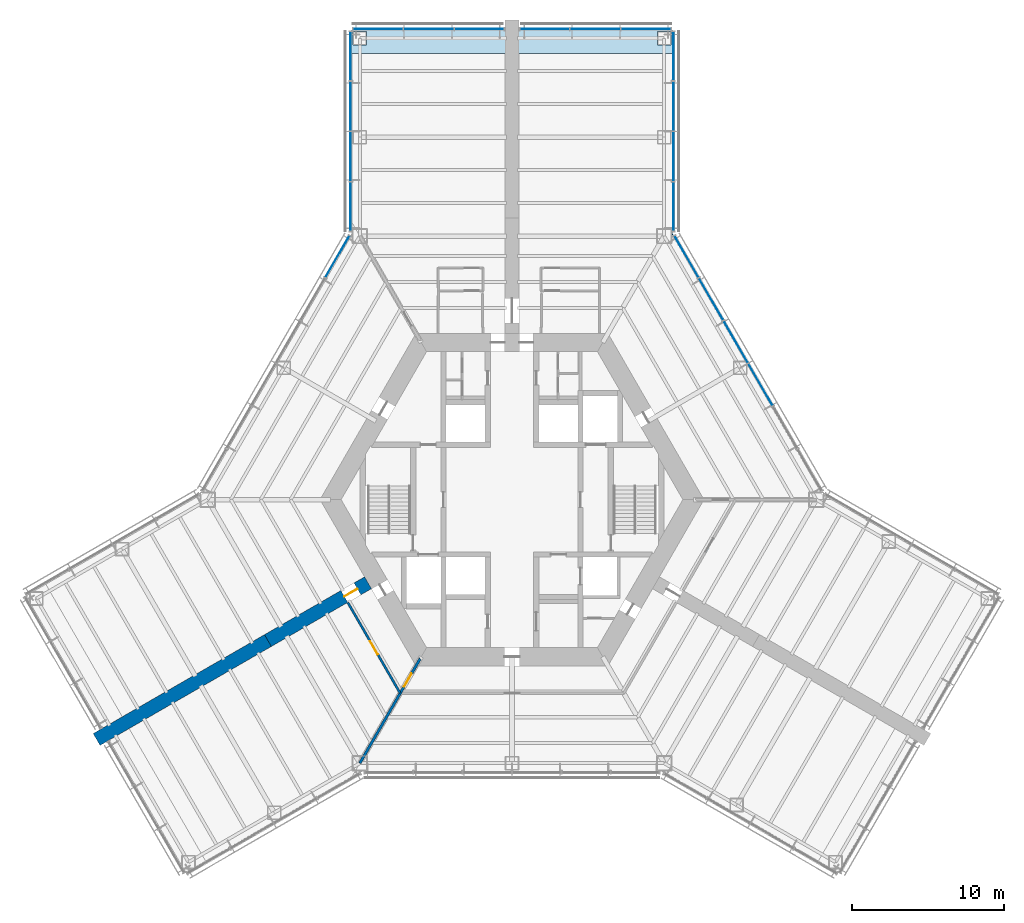
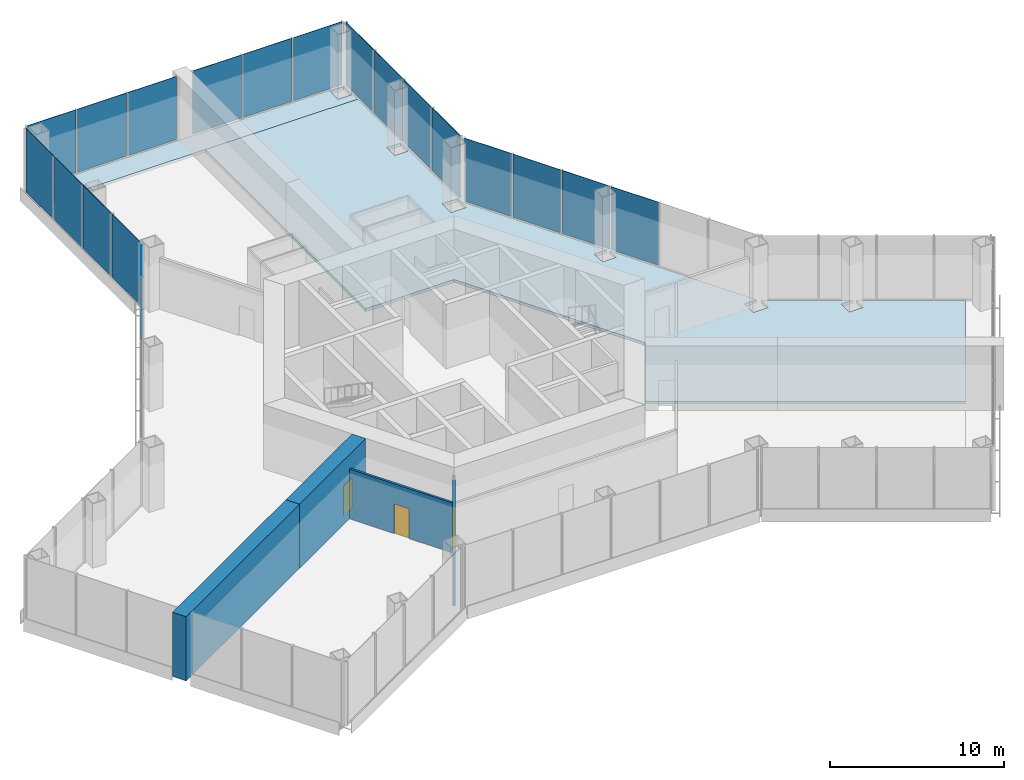
# One storey, part 8 of 13: 19 plates, 4 walls, 3 doors, 2 slabs, 3 openings, 6 elements without a shape of their own.
"""IFC4 building model written with IfcOpenShell, lengths in metres."""

from ifc_helpers import new_model, si_unit, direction, frame, frame_2d, origin, origin_2d, place, context, subcontext, project, spatial, polyline, rectangle, outline, extrude, material, layer, layer_set, type_object, element, fill, aggregate, save


model = new_model("IFC4")

# Units and contexts
model_context = context("Model", 3, precision=1e-05, world=origin(), true_north=direction((0.0, 1.0)))
body_context = subcontext(model_context, "Body", "Model", "MODEL_VIEW")
ifc_project = project(units=[si_unit("LENGTHUNIT", "METRE"), si_unit("AREAUNIT", "SQUARE_METRE"), si_unit("VOLUMEUNIT", "CUBIC_METRE"), si_unit("PLANEANGLEUNIT", "RADIAN"), si_unit("MASSUNIT", "GRAM", prefix="KILO")], contexts=[model_context])

# Site, building, storey
site_placement = place(None, origin())
site = spatial("IfcSite", under=ifc_project, at=site_placement, CompositionType="ELEMENT")
building_placement = place(site_placement, origin())
building = spatial("IfcBuilding", under=site, at=building_placement, Name="Kasaneha Research Tower", CompositionType="ELEMENT")
storey_placement = place(building_placement, frame((0.0, 0.0, 5.5)))
storey = spatial("IfcBuildingStorey", under=building, at=storey_placement, Name="L02", CompositionType="ELEMENT", Elevation=5.5)

# Curtain wall, plates
ifc_material_1 = material(Name="Glass and aluminium", Category="aluminium")
curtain_wall_type = type_object("IfcCurtainWallType", Name="Entrance hall curtain wall", PredefinedType="USERDEFINED", material=ifc_material_1)
curtain_wall_1_placement = place(storey_placement, origin())
curtain_wall_1 = element("IfcCurtainWall", 1, at=curtain_wall_1_placement, inside=storey, type_object=curtain_wall_type, Name="CW-H L02 run 07a", ObjectType="UNITISED CURTAIN WALL", PredefinedType="USERDEFINED")
ifc_material_2 = material(Name="Laminated double glazing", Category="glass")
ifc_layer_1 = layer(ifc_material_2, 0.031982421875)
ifc_layer_set_1 = layer_set([ifc_layer_1], Name="CW-H glazed panel")
plate_type = type_object("IfcPlateType", Name="CW-H glazed panel", PredefinedType="CURTAIN_PANEL", material=ifc_layer_set_1)
plate_1_placement = place(storey_placement, frame((16.331298828125, 7.554443359375, 0.080078125), z_axis=(0.0, 0.0, 1.0), x_axis=(-0.49999996188, 0.866025425793, 0.0)))
plate_1 = element("IfcPlate", 2, at=plate_1_placement, type_object=plate_type, Name="CW-H panel 3", PredefinedType="CURTAIN_PANEL", context=body_context, shape_type="SweptSolid", body=[
    extrude(rectangle(XDim=3.16650390625, YDim=0.031982421875, at=origin_2d()), origin(), (0.0, 0.0, 1.0), 4.419921875),
])
plate_2_placement = place(storey_placement, frame((14.7080078125, 10.365966796875, 0.080078125), z_axis=(0.0, 0.0, 1.0), x_axis=(-0.49999996188, 0.866025425793, 0.0)))
plate_2 = element("IfcPlate", 3, at=plate_2_placement, type_object=plate_type, Name="CW-H panel 4", PredefinedType="CURTAIN_PANEL", context=body_context, shape_type="SweptSolid", body=[
    extrude(rectangle(XDim=3.16650390625, YDim=0.031982421875, at=origin_2d()), origin(), (0.0, 0.0, 1.0), 4.419921875),
])
plate_3_placement = place(storey_placement, frame((13.084716796875, 13.177490234375, 0.080078125), z_axis=(0.0, 0.0, 1.0), x_axis=(-0.49999996188, 0.866025425793, 0.0)))
plate_3 = element("IfcPlate", 4, at=plate_3_placement, type_object=plate_type, Name="CW-H panel 5", PredefinedType="CURTAIN_PANEL", context=body_context, shape_type="SweptSolid", body=[
    extrude(rectangle(XDim=3.16650390625, YDim=0.031982421875, at=origin_2d()), origin(), (0.0, 0.0, 1.0), 4.419921875),
])
plate_4_placement = place(storey_placement, frame((11.4716796875, 15.9716796875, 0.080078125), z_axis=(0.0, 0.0, 1.0), x_axis=(-0.49999996188, 0.866025425793, 0.0)))
plate_4 = element("IfcPlate", 5, at=plate_4_placement, type_object=plate_type, Name="CW-H panel 6", PredefinedType="CURTAIN_PANEL", context=body_context, shape_type="SweptSolid", body=[
    extrude(rectangle(XDim=3.12646484375, YDim=0.031982421875, at=origin_2d()), origin(), (0.0, 0.0, 1.0), 4.419921875),
])
aggregate(curtain_wall_1, [plate_1, plate_2, plate_3, plate_4])

curtain_wall_2_placement = place(storey_placement, origin())
curtain_wall_2 = element("IfcCurtainWall", 6, at=curtain_wall_2_placement, inside=storey, type_object=curtain_wall_type, Name="CW-H L02 run 08a", ObjectType="UNITISED CURTAIN WALL", PredefinedType="USERDEFINED")
plate_5_placement = place(storey_placement, frame((10.60009765625, 19.256103515625, 0.080078125), z_axis=(0.0, 0.0, 1.0), x_axis=(0.0, 1.0, 0.0)))
plate_5 = element("IfcPlate", 7, at=plate_5_placement, type_object=plate_type, Name="CW-H panel 1", PredefinedType="CURTAIN_PANEL", context=body_context, shape_type="SweptSolid", body=[
    extrude(rectangle(XDim=3.189697265625, YDim=0.031982421875, at=origin_2d()), origin(), (0.0, 0.0, 1.0), 4.419921875),
])
plate_6_placement = place(storey_placement, frame((10.60009765625, 22.5458984375, 0.080078125), z_axis=(0.0, 0.0, 1.0), x_axis=(0.0, 1.0, 0.0)))
plate_6 = element("IfcPlate", 8, at=plate_6_placement, type_object=plate_type, Name="CW-H panel 2", PredefinedType="CURTAIN_PANEL", context=body_context, shape_type="SweptSolid", body=[
    extrude(rectangle(XDim=3.229736328125, YDim=0.031982421875, at=origin_2d()), origin(), (0.0, 0.0, 1.0), 4.419921875),
])
plate_7_placement = place(storey_placement, frame((10.60009765625, 25.855712890625, 0.080078125), z_axis=(0.0, 0.0, 1.0), x_axis=(0.0, 1.0, 0.0)))
plate_7 = element("IfcPlate", 9, at=plate_7_placement, type_object=plate_type, Name="CW-H panel 3", PredefinedType="CURTAIN_PANEL", context=body_context, shape_type="SweptSolid", body=[
    extrude(rectangle(XDim=3.229736328125, YDim=0.031982421875, at=origin_2d()), origin(), (0.0, 0.0, 1.0), 4.419921875),
])
plate_8_placement = place(storey_placement, frame((10.60009765625, 29.1455078125, 0.080078125), z_axis=(0.0, 0.0, 1.0), x_axis=(0.0, 1.0, 0.0)))
plate_8 = element("IfcPlate", 10, at=plate_8_placement, type_object=plate_type, Name="CW-H panel 4", PredefinedType="CURTAIN_PANEL", context=body_context, shape_type="SweptSolid", body=[
    extrude(rectangle(XDim=3.189697265625, YDim=0.031982421875, at=origin_2d()), origin(), (0.0, 0.0, 1.0), 4.419921875),
])
aggregate(curtain_wall_2, [plate_5, plate_6, plate_7, plate_8])

curtain_wall_3_placement = place(storey_placement, origin())
curtain_wall_3 = element("IfcCurtainWall", 11, at=curtain_wall_3_placement, inside=storey, type_object=curtain_wall_type, Name="CW-H L02 run 09a", ObjectType="UNITISED CURTAIN WALL", PredefinedType="USERDEFINED")
plate_9_placement = place(storey_placement, frame((8.804931640625, 30.92041015625, 0.080078125), z_axis=(0.0, 0.0, 1.0), x_axis=(-1.0, 0.0, 0.0)))
plate_9 = element("IfcPlate", 12, at=plate_9_placement, type_object=plate_type, Name="CW-H panel 1", PredefinedType="CURTAIN_PANEL", context=body_context, shape_type="SweptSolid", body=[
    extrude(rectangle(XDim=3.22998046875, YDim=0.031982421875, at=origin_2d()), origin(), (0.0, 0.0, 1.0), 4.419921875),
])
plate_10_placement = place(storey_placement, frame((5.47509765625, 30.92041015625, 0.080078125), z_axis=(0.0, 0.0, 1.0), x_axis=(-1.0, 0.0, 0.0)))
plate_10 = element("IfcPlate", 13, at=plate_10_placement, type_object=plate_type, Name="CW-H panel 2", PredefinedType="CURTAIN_PANEL", context=body_context, shape_type="SweptSolid", body=[
    extrude(rectangle(XDim=3.27001953125, YDim=0.031982421875, at=origin_2d()), origin(), (0.0, 0.0, 1.0), 4.419921875),
])
plate_11_placement = place(storey_placement, frame((2.14501953125, 30.92041015625, 0.080078125), z_axis=(0.0, 0.0, 1.0), x_axis=(-1.0, 0.0, 0.0)))
plate_11 = element("IfcPlate", 14, at=plate_11_placement, type_object=plate_type, Name="CW-H panel 3", PredefinedType="CURTAIN_PANEL", context=body_context, shape_type="SweptSolid", body=[
    extrude(rectangle(XDim=3.22998046875, YDim=0.031982421875, at=origin_2d()), origin(), (0.0, 0.0, 1.0), 4.419921875),
])
aggregate(curtain_wall_3, [plate_9, plate_10, plate_11])

curtain_wall_4_placement = place(storey_placement, origin())
curtain_wall_4 = element("IfcCurtainWall", 15, at=curtain_wall_4_placement, inside=storey, type_object=curtain_wall_type, Name="CW-H L02 run 10a", ObjectType="UNITISED CURTAIN WALL", PredefinedType="USERDEFINED")
plate_12_placement = place(storey_placement, frame((-2.14501953125, 30.92041015625, 0.080078125), z_axis=(0.0, 0.0, 1.0), x_axis=(-1.0, 0.0, 0.0)))
plate_12 = element("IfcPlate", 16, at=plate_12_placement, type_object=plate_type, Name="CW-H panel 1", PredefinedType="CURTAIN_PANEL", context=body_context, shape_type="SweptSolid", body=[
    extrude(rectangle(XDim=3.22998046875, YDim=0.031982421875, at=origin_2d()), origin(), (0.0, 0.0, 1.0), 4.419921875),
])
plate_13_placement = place(storey_placement, frame((-5.47509765625, 30.92041015625, 0.080078125), z_axis=(0.0, 0.0, 1.0), x_axis=(-1.0, 0.0, 0.0)))
plate_13 = element("IfcPlate", 17, at=plate_13_placement, type_object=plate_type, Name="CW-H panel 2", PredefinedType="CURTAIN_PANEL", context=body_context, shape_type="SweptSolid", body=[
    extrude(rectangle(XDim=3.27001953125, YDim=0.031982421875, at=origin_2d()), origin(), (0.0, 0.0, 1.0), 4.419921875),
])
plate_14_placement = place(storey_placement, frame((-8.804931640625, 30.92041015625, 0.080078125), z_axis=(0.0, 0.0, 1.0), x_axis=(-1.0, 0.0, 0.0)))
plate_14 = element("IfcPlate", 18, at=plate_14_placement, type_object=plate_type, Name="CW-H panel 3", PredefinedType="CURTAIN_PANEL", context=body_context, shape_type="SweptSolid", body=[
    extrude(rectangle(XDim=3.22998046875, YDim=0.031982421875, at=origin_2d()), origin(), (0.0, 0.0, 1.0), 4.419921875),
])
aggregate(curtain_wall_4, [plate_12, plate_13, plate_14])

curtain_wall_5_placement = place(storey_placement, origin())
curtain_wall_5 = element("IfcCurtainWall", 19, at=curtain_wall_5_placement, inside=storey, type_object=curtain_wall_type, Name="CW-H L02 run 11a", ObjectType="UNITISED CURTAIN WALL", PredefinedType="USERDEFINED")
plate_15_placement = place(storey_placement, frame((-10.60009765625, 29.1455078125, 0.080078125), z_axis=(0.0, 0.0, 1.0), x_axis=(0.0, -1.0, 0.0)))
plate_15 = element("IfcPlate", 20, at=plate_15_placement, type_object=plate_type, Name="CW-H panel 1", PredefinedType="CURTAIN_PANEL", context=body_context, shape_type="SweptSolid", body=[
    extrude(rectangle(XDim=3.189697265625, YDim=0.031982421875, at=origin_2d()), origin(), (0.0, 0.0, 1.0), 4.419921875),
])
plate_16_placement = place(storey_placement, frame((-10.60009765625, 25.855712890625, 0.080078125), z_axis=(0.0, 0.0, 1.0), x_axis=(0.0, -1.0, 0.0)))
plate_16 = element("IfcPlate", 21, at=plate_16_placement, type_object=plate_type, Name="CW-H panel 2", PredefinedType="CURTAIN_PANEL", context=body_context, shape_type="SweptSolid", body=[
    extrude(rectangle(XDim=3.229736328125, YDim=0.031982421875, at=origin_2d()), origin(), (0.0, 0.0, 1.0), 4.419921875),
])
plate_17_placement = place(storey_placement, frame((-10.60009765625, 22.5458984375, 0.080078125), z_axis=(0.0, 0.0, 1.0), x_axis=(0.0, -1.0, 0.0)))
plate_17 = element("IfcPlate", 22, at=plate_17_placement, type_object=plate_type, Name="CW-H panel 3", PredefinedType="CURTAIN_PANEL", context=body_context, shape_type="SweptSolid", body=[
    extrude(rectangle(XDim=3.229736328125, YDim=0.031982421875, at=origin_2d()), origin(), (0.0, 0.0, 1.0), 4.419921875),
])
plate_18_placement = place(storey_placement, frame((-10.60009765625, 19.256103515625, 0.080078125), z_axis=(0.0, 0.0, 1.0), x_axis=(0.0, -1.0, 0.0)))
plate_18 = element("IfcPlate", 23, at=plate_18_placement, type_object=plate_type, Name="CW-H panel 4", PredefinedType="CURTAIN_PANEL", context=body_context, shape_type="SweptSolid", body=[
    extrude(rectangle(XDim=3.189697265625, YDim=0.031982421875, at=origin_2d()), origin(), (0.0, 0.0, 1.0), 4.419921875),
])
aggregate(curtain_wall_5, [plate_15, plate_16, plate_17, plate_18])

# Curtain wall, plate
curtain_wall_6_placement = place(storey_placement, origin())
curtain_wall_6 = element("IfcCurtainWall", 24, at=curtain_wall_6_placement, inside=storey, type_object=curtain_wall_type, Name="CW-H L02 run 12a", ObjectType="UNITISED CURTAIN WALL", PredefinedType="USERDEFINED")
plate_19_placement = place(storey_placement, frame((-11.4716796875, 15.9716796875, 0.080078125), z_axis=(0.0, 0.0, 1.0), x_axis=(-0.49999996188, -0.866025425793, 0.0)))
plate_19 = element("IfcPlate", 25, at=plate_19_placement, type_object=plate_type, Name="CW-H panel 1", PredefinedType="CURTAIN_PANEL", context=body_context, shape_type="SweptSolid", body=[
    extrude(rectangle(XDim=3.12646484375, YDim=0.031982421875, at=origin_2d()), origin(), (0.0, 0.0, 1.0), 4.419921875),
])
aggregate(curtain_wall_6, [plate_19])

# Slabs
ifc_material_3 = material(Name="Concrete Fc24", Category="concrete")
ifc_layer_2 = layer(ifc_material_3, 0.199951171875)
ifc_layer_set_2 = layer_set([ifc_layer_2], Name="Floor slab 200")
slab_type = type_object("IfcSlabType", Name="Floor slab 200", PredefinedType="FLOOR", material=ifc_layer_set_2)
slab_1_placement = place(storey_placement, frame((0.0, 0.0, -0.199951171875)))
element("IfcSlab", 26, at=slab_1_placement, inside=storey, type_object=slab_type, Name="Floor slab L02 3", PredefinedType="FLOOR", context=body_context, shape_type="SweptSolid", body=[
    extrude(outline(polyline([(10.550048828125, 29.310546875), (0.449951171875, 29.310546875), (0.449951171875, 29.320556640625), (-0.449951171875, 29.320556640625), (-0.449951171875, 29.310546875), (-10.550048828125, 29.310546875), (-10.550048828125, 30.87060546875), (10.550048828125, 30.87060546875), (10.550048828125, 29.310546875)]), holes=[polyline([(-9.550048828125, 29.87060546875), (-9.550048828125, 30.7705078125), (-10.449951171875, 30.7705078125), (-10.449951171875, 29.87060546875), (-9.550048828125, 29.87060546875)]), polyline([(9.550048828125, 29.87060546875), (10.449951171875, 29.87060546875), (10.449951171875, 30.7705078125), (9.550048828125, 30.7705078125), (9.550048828125, 29.87060546875)])]), origin(), (0.0, 0.0, 1.0), 0.199951171875),
])
slab_2_placement = place(storey_placement, frame((0.0, 0.0, -0.199951171875)))
element("IfcSlab", 27, at=slab_2_placement, inside=storey, type_object=slab_type, Name="Floor slab L02 5", PredefinedType="FLOOR", context=body_context, shape_type="SweptSolid", body=[
    extrude(outline(polyline([(9.686279296875, -5.07275390625), (12.614990234375, 0.0), (6.3076171875, 10.925048828125), (0.449951171875, 10.925048828125), (0.449951171875, 29.310546875), (10.550048828125, 29.310546875), (10.550048828125, 17.4677734375), (15.375244140625, 9.1103515625), (14.550048828125, 9.1103515625), (14.550048828125, 8.210205078125), (15.449951171875, 8.210205078125), (15.449951171875, 8.980712890625), (20.346435546875, 0.5), (19.5, 0.5), (19.5, -0.5), (20.5, -0.5), (20.5, 0.346435546875), (25.083740234375, -2.300048828125), (24.313232421875, -2.300048828125), (24.313232421875, -3.199951171875), (25.213134765625, -3.199951171875), (25.213134765625, -2.374755859375), (30.65869140625, -5.518798828125), (25.608642578125, -14.265625), (9.686279296875, -5.07275390625)]), holes=[polyline([(9.5, 16.820556640625), (10.5, 16.820556640625), (10.5, 17.820556640625), (9.5, 17.820556640625), (9.5, 16.820556640625)]), polyline([(9.550048828125, 23.37060546875), (10.449951171875, 23.37060546875), (10.449951171875, 24.2705078125), (9.550048828125, 24.2705078125), (9.550048828125, 23.37060546875)])]), origin(), (0.0, 0.0, 1.0), 0.199951171875),
])

# Wall, opening, door
ifc_material_4 = material(Name="Concrete Fc100", Category="concrete")
ifc_layer_3 = layer(ifc_material_4, 0.89990234375)
ifc_layer_set_3 = layer_set([ifc_layer_3], Name="Spine wall 900 Fc100")
wall_type_1 = type_object("IfcWallType", Name="Spine wall 900 Fc100", PredefinedType="SHEAR", material=ifc_layer_set_3)
wall_1_placement = place(storey_placement, frame((-9.46142578125, -5.46240234375, 0.0), z_axis=(0.0, 0.0, 1.0), x_axis=(-0.866019116917, -0.500010889016, 0.0)))
wall_1 = element("IfcWall", 28, at=wall_1_placement, inside=storey, type_object=wall_type_1, Name="Spine wall B L02", PredefinedType="SHEAR", context=body_context, shape_type="SweptSolid", body=[
    extrude(rectangle(XDim=7.595458984375, YDim=0.89990234375, at=frame_2d((3.7978515625, 0.0))), origin(), (0.0, 0.0, 1.0), 4.5),
])
opening_1_placement = place(wall_1_placement, frame((0.800048828125, 0.0, 0.0)))
opening_1 = element("IfcOpeningElement", 29, at=opening_1_placement, cuts=wall_1, Name="Opening L02-D18", PredefinedType="OPENING", context=body_context, shape_type="SweptSolid", body=[
    extrude(rectangle(XDim=1.0, YDim=2.10009765625, at=frame_2d((0.5, 1.050048828125))), frame((0.0, 0.4599609375, 0.0), z_axis=(0.0, -1.0, 0.0), x_axis=(1.0, 0.0, 0.0)), (0.0, 0.0, 1.0), 0.919921875),
])
ifc_material_5 = material(Name="Steel", Category="steel")
door_type_1 = type_object("IfcDoorType", Name="Specified fire door FD60 1000x2100", OperationType="NOTDEFINED", PredefinedType="DOOR", material=ifc_material_5)
door_1_placement = place(opening_1_placement, origin())
door_1 = element("IfcDoor", 30, at=door_1_placement, inside=storey, type_object=door_type_1, Name="Spine doorway B L02-D18", OperationType="SINGLE_SWING_LEFT", OverallHeight=2.10009765625, OverallWidth=1.0, PredefinedType="DOOR", context=body_context, shape_type="SweptSolid", body=[
    extrude(rectangle(XDim=1.0, YDim=2.10009765625, at=frame_2d((0.5, 1.050048828125))), frame((0.0, 0.02490234375, 0.0), z_axis=(0.0, -1.0, 0.0), x_axis=(1.0, 0.0, 0.0)), (0.0, 0.0, 1.0), 0.050048828125),
])
fill(opening_1, door_1)

# Wall
wall_2_placement = place(storey_placement, frame((-16.039306640625, -9.26025390625, 0.0), z_axis=(0.0, 0.0, 1.0), x_axis=(-0.866024837091, -0.50000098154, 0.0)))
element("IfcWall", 31, at=wall_2_placement, inside=storey, type_object=wall_type_1, Name="Spine wall B wing L02", PredefinedType="SHEAR", context=body_context, shape_type="SweptSolid", body=[
    extrude(rectangle(XDim=13.0, YDim=0.89990234375, at=frame_2d((6.5, 0.0))), origin(), (0.0, 0.0, 1.0), 4.5),
])

# Wall, opening, door
ifc_material_6 = material(Name="Gypsum board on steel studs, two layers each side", Category="steel")
ifc_layer_4 = layer(ifc_material_6, 0.14990234375)
ifc_layer_set_4 = layer_set([ifc_layer_4], Name="Suite partition 150")
wall_type_2 = type_object("IfcWallType", Name="Suite partition 150", PredefinedType="PARTITIONING", material=ifc_layer_set_4)
wall_3_placement = place(storey_placement, frame((-7.3583984375, -12.705078125, 0.0), z_axis=(0.0, 0.0, 1.0), x_axis=(-0.499985579985, 0.866033729024, 0.0)))
wall_3 = element("IfcWall", 32, at=wall_3_placement, inside=storey, type_object=wall_type_2, Name="Suite partition FBS01 L02", PredefinedType="PARTITIONING", context=body_context, shape_type="SweptSolid", body=[
    extrude(rectangle(XDim=6.853759765625, YDim=0.14990234375, at=frame_2d((3.4267578125, 0.0))), origin(), (0.0, 0.0, 1.0), 3.5),
])
opening_2_placement = place(wall_3_placement, frame((2.927001953125, 0.0, 0.0)))
opening_2 = element("IfcOpeningElement", 33, at=opening_2_placement, cuts=wall_3, Name="Opening L02-D32", PredefinedType="OPENING", context=body_context, shape_type="SweptSolid", body=[
    extrude(rectangle(XDim=1.0, YDim=2.10009765625, at=frame_2d((0.5, 1.050048828125))), frame((0.0, 0.0849609375, 0.0), z_axis=(0.0, -1.0, 0.0), x_axis=(1.0, 0.0, 0.0)), (0.0, 0.0, 1.0), 0.169921875),
])
ifc_material_7 = material(Name="Steel", Category="steel")
door_type_2 = type_object("IfcDoorType", Name="Suite entrance door FD60 1000x2100", OperationType="NOTDEFINED", PredefinedType="DOOR", material=ifc_material_7)
door_2_placement = place(opening_2_placement, origin())
door_2 = element("IfcDoor", 34, at=door_2_placement, inside=storey, type_object=door_type_2, Name="Suite entrance door L02-D32", OperationType="SINGLE_SWING_RIGHT", OverallHeight=2.10009765625, OverallWidth=1.0, PredefinedType="DOOR", context=body_context, shape_type="SweptSolid", body=[
    extrude(rectangle(XDim=1.0, YDim=2.10009765625, at=frame_2d((0.5, 1.050048828125))), frame((0.0, 0.02490234375, 0.0), z_axis=(0.0, -1.0, 0.0), x_axis=(1.0, 0.0, 0.0)), (0.0, 0.0, 1.0), 0.050048828125),
])
fill(opening_2, door_2)

ifc_material_8 = material(Name="Gypsum board on steel studs, two layers each side", Category="steel")
ifc_layer_5 = layer(ifc_material_8, 0.175048828125)
ifc_layer_set_5 = layer_set([ifc_layer_5], Name="Tenancy fire partition 175")
wall_type_3 = type_object("IfcWallType", Name="Tenancy fire partition 175", PredefinedType="PARTITIONING", material=ifc_layer_set_5)
wall_4_placement = place(storey_placement, frame((-6.03515625, -10.453125, 0.0), z_axis=(0.0, 0.0, 1.0), x_axis=(-0.499993402427, -0.866029212861, 0.0)))
wall_4 = element("IfcWall", 35, at=wall_4_placement, inside=storey, type_object=wall_type_3, Name="Tenancy fire partition T240 L02", PredefinedType="PARTITIONING", context=body_context, shape_type="SweptSolid", body=[
    extrude(outline(polyline([(-0.050537109375, -0.08740234375), (1.12939453125, -0.08740234375), (2.12939453125, -0.08740234375), (7.9296875, -0.08740234375), (7.9296875, 0.08740234375), (2.12939453125, 0.08740234375), (1.12939453125, 0.08740234375), (0.050537109375, 0.08740234375), (-0.050537109375, -0.08740234375)])), origin(), (0.0, 0.0, 1.0), 3.60009765625),
])
opening_3_placement = place(wall_4_placement, frame((1.12939453125, 0.0, 0.0)))
opening_3 = element("IfcOpeningElement", 36, at=opening_3_placement, cuts=wall_4, Name="Opening L02-D27", PredefinedType="OPENING", context=body_context, shape_type="SweptSolid", body=[
    extrude(rectangle(XDim=1.0, YDim=2.10009765625, at=frame_2d((0.5, 1.050048828125))), frame((0.0, 0.09765625, 0.0), z_axis=(0.0, -1.0, 0.0), x_axis=(1.0, 0.0, 0.0)), (0.0, 0.0, 1.0), 0.195068359375),
])
door_3_placement = place(opening_3_placement, origin())
door_3 = element("IfcDoor", 37, at=door_3_placement, inside=storey, type_object=door_type_2, Name="Connecting door L02-D27", OperationType="SINGLE_SWING_RIGHT", OverallHeight=2.10009765625, OverallWidth=1.0, PredefinedType="DOOR", context=body_context, shape_type="SweptSolid", body=[
    extrude(rectangle(XDim=1.0, YDim=2.10009765625, at=frame_2d((0.5, 1.050048828125))), frame((0.0, 0.02490234375, 0.0), z_axis=(0.0, -1.0, 0.0), x_axis=(1.0, 0.0, 0.0)), (0.0, 0.0, 1.0), 0.050048828125),
])
fill(opening_3, door_3)

save(model, "model.ifc")
